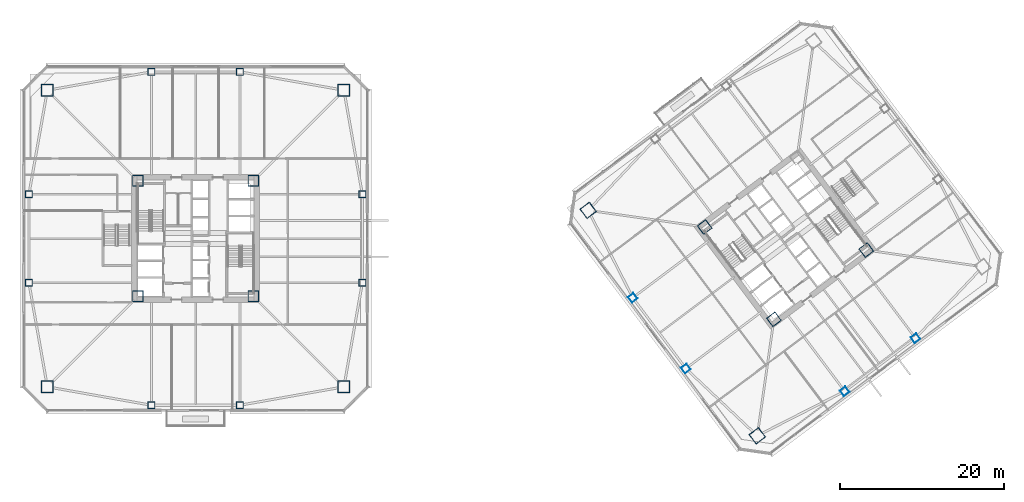
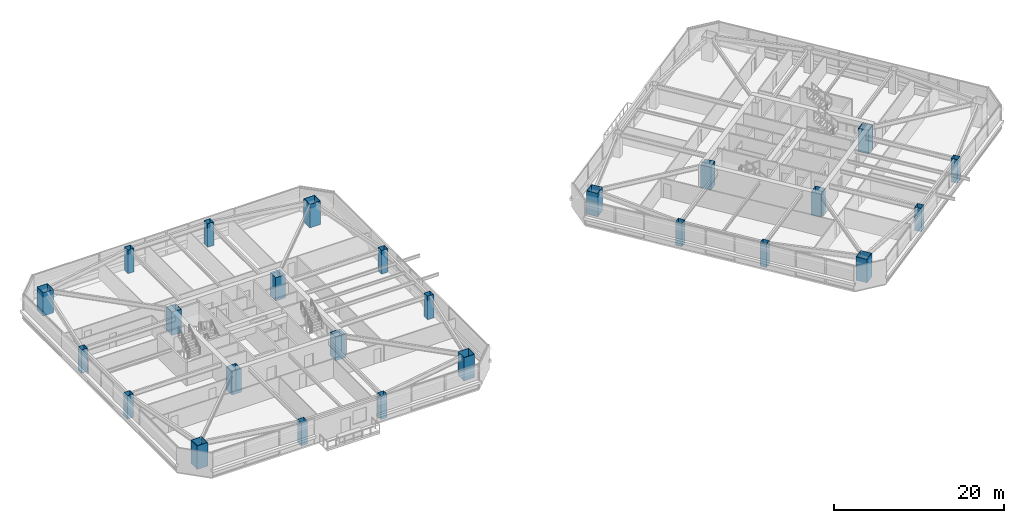
# One storey, part 1 of 44: 25 columns.
"""IFC4 building model written with IfcOpenShell, lengths in metres."""

import ifcopenshell
import ifcopenshell.guid

model = None  # the IFC model being written
_history = None  # IfcOwnerHistory: only IFC2X3 demands one
_inside = {}  # id of a spatial element -> (the spatial element, [elements in it])
_under = {}  # id of a project, library or spatial element -> (it, [spatial elements below it])
_declared = {}  # id of a project -> (the project, [libraries it declares])
_typed = {}  # id of a type object -> (the type object, [elements of that type])
_made_of = {}  # id of a material, layer set ... -> (it, [elements and type objects made of it])


def new_model(schema):
    """Start an empty IFC model of exactly this schema.

    Asked for "IFC4X3", IfcOpenShell would pick the latest addendum, in which some entities
    have other attributes; the version numbers below select the first issue.
    IFC2X3 requires an IfcOwnerHistory on every rooted entity: one is made here for all.
    """
    global model, _history
    if schema == "IFC4X3":
        model = ifcopenshell.file(schema_version=(4, 3, 0, 0))
    else:
        model = ifcopenshell.file(schema=schema)
    _inside.clear()
    _under.clear()
    _declared.clear()
    _typed.clear()
    _made_of.clear()
    _history = None
    if model.schema == "IFC2X3":
        org = make("IfcOrganization", Name="unknown")
        user = make(
            "IfcPersonAndOrganization",
            ThePerson=make("IfcPerson", FamilyName="unknown"),
            TheOrganization=org,
        )
        app = make(
            "IfcApplication",
            ApplicationDeveloper=org,
            Version="unknown",
            ApplicationFullName="unknown",
            ApplicationIdentifier="unknown",
        )
        _history = make(
            "IfcOwnerHistory",
            OwningUser=user,
            OwningApplication=app,
            ChangeAction="ADDED",
            CreationDate=0,
        )
    return model


def make(cls, **values):
    """One entity of the class cls with the attributes given. An attribute that is None is left unset."""
    return model.create_entity(
        cls, **{name: value for name, value in values.items() if value is not None}
    )


def rooted(cls, **values):
    """An entity with a GlobalId (a new one), such as an element, a storey or a relation."""
    return make(cls, GlobalId=ifcopenshell.guid.new(), OwnerHistory=_history, **values)


def si_unit(unit_type, name, prefix=None):
    """IfcSIUnit, for example si_unit("LENGTHUNIT", "METRE", prefix="MILLI")."""
    return make("IfcSIUnit", UnitType=unit_type, Prefix=prefix, Name=name)


def assignment(units):
    """IfcUnitAssignment: the units of a project."""
    return None if units is None else make("IfcUnitAssignment", Units=units)


def point(xyz):
    """IfcCartesianPoint."""
    return None if xyz is None else make("IfcCartesianPoint", Coordinates=xyz)


def direction(xyz):
    """IfcDirection."""
    return None if xyz is None else make("IfcDirection", DirectionRatios=xyz)


def frame(location, z_axis=None, x_axis=None):
    """IfcAxis2Placement3D, a coordinate frame: its origin and axes. An axis left out is left unset."""
    return make(
        "IfcAxis2Placement3D",
        Location=point(location),
        Axis=direction(z_axis),
        RefDirection=direction(x_axis),
    )


def frame_2d(location, x_axis=None):
    """IfcAxis2Placement2D, a coordinate frame in the plane: its origin and x axis."""
    return make(
        "IfcAxis2Placement2D", Location=point(location), RefDirection=direction(x_axis)
    )


def origin():
    """The frame at (0, 0, 0) with its axes left unset."""
    return frame((0.0, 0.0, 0.0))


def origin_2d():
    """The frame at (0, 0) in the plane with its x axis left unset."""
    return frame_2d((0.0, 0.0))


def place(relative_to, where):
    """IfcLocalPlacement: puts the frame where relative to a parent placement (None: the world)."""
    return make(
        "IfcLocalPlacement", PlacementRelTo=relative_to, RelativePlacement=where
    )


def context(
    kind, dimensions, precision=None, world=None, true_north=None, identifier=None
):
    """IfcGeometricRepresentationContext, for example the 3D "Model" context."""
    return make(
        "IfcGeometricRepresentationContext",
        ContextIdentifier=identifier,
        ContextType=kind,
        CoordinateSpaceDimension=dimensions,
        Precision=precision,
        WorldCoordinateSystem=world,
        TrueNorth=true_north,
    )


def subcontext(parent, identifier, kind, view, scale=None):
    """IfcGeometricRepresentationSubContext, for example "Body" below "Model"."""
    return make(
        "IfcGeometricRepresentationSubContext",
        ContextIdentifier=identifier,
        ContextType=kind,
        ParentContext=parent,
        TargetScale=scale,
        TargetView=view,
    )


def project(units=None, contexts=None):
    """IfcProject with its units and contexts."""
    return rooted(
        "IfcProject",
        Name="project",
        RepresentationContexts=contexts,
        UnitsInContext=assignment(units),
    )


def spatial(cls, under=None, at=None, **own):
    """A site, building, storey or space (cls), placed at a placement, below another one or the project."""
    s = rooted(cls, ObjectPlacement=at, **own)
    if under is not None:
        _under.setdefault(under.id(), (under, []))[1].append(s)
    return s


def profile(cls, at=None, kind="AREA", **sizes):
    """A parametric profile (cls). Its sizes go by their IFC names, for example OverallWidth=200.0."""
    return make(cls, ProfileType=kind, Position=at, **sizes)


def hollow_rectangle(**sizes):
    """IfcRectangleHollowProfileDef."""
    return profile("IfcRectangleHollowProfileDef", **sizes)


def extrude(swept, where, along, depth):
    """IfcExtrudedAreaSolid: the profile swept, set in the frame where, extruded along a direction by depth."""
    return make(
        "IfcExtrudedAreaSolid",
        SweptArea=swept,
        Position=where,
        ExtrudedDirection=direction(along),
        Depth=depth,
    )


def shape(context_of_items, identifier, shape_type, items):
    """IfcShapeRepresentation: the items that make up one representation, for example the "Body"."""
    return make(
        "IfcShapeRepresentation",
        ContextOfItems=context_of_items,
        RepresentationIdentifier=identifier,
        RepresentationType=shape_type,
        Items=items,
    )


def material(Name=None, Category=None):
    """IfcMaterial."""
    return make("IfcMaterial", Name=Name, Category=Category)


def material_profile(
    of_material, cross_section, Name=None, Category=None, Priority=None
):
    """IfcMaterialProfile: a cross section and its material."""
    return make(
        "IfcMaterialProfile",
        Name=Name,
        Material=of_material,
        Profile=cross_section,
        Priority=Priority,
        Category=Category,
    )


def profile_set(profiles, Name=None, composite=None):
    """IfcMaterialProfileSet."""
    return make(
        "IfcMaterialProfileSet",
        Name=Name,
        MaterialProfiles=profiles,
        CompositeProfile=composite,
    )


def made_of(thing, what):
    """Note that an element or type object is made of a material, layer set ...; save() writes the relation."""
    if what is not None:
        _made_of.setdefault(what.id(), (what, []))[1].append(thing)
    return thing


def type_object(cls, material=None, **own):
    """A type object (cls), such as IfcWallType, which elements share."""
    return made_of(rooted(cls, **own), material)


def element(
    cls,
    number,
    at=None,
    inside=None,
    cuts=None,
    type_object=None,
    material=None,
    context=None,
    identifier="Body",
    shape_type=None,
    held_by="IfcProductDefinitionShape",
    body=None,
    shapes=None,
    **own,
):
    """One element of the class cls, such as IfcWall. Its Tag is "e" and its number.

    at: its placement. inside: the storey or other place that contains it. cuts: it is an
    opening in that element (IfcRelVoidsElement). A single representation is given by context,
    identifier, shape_type and body (its items); several are given by shapes. held_by: the class
    of the entity that holds the representations. save() writes the other relations.
    """
    e = rooted(cls, Tag="e%d" % number, ObjectPlacement=at, **own)
    if body is not None:
        shapes = [shape(context, identifier, shape_type, body)]
    if shapes is not None:
        e.Representation = make(held_by, Representations=shapes)
    if inside is not None:
        _inside.setdefault(inside.id(), (inside, []))[1].append(e)
    if cuts is not None:
        rooted(
            "IfcRelVoidsElement", RelatingBuildingElement=cuts, RelatedOpeningElement=e
        )
    if type_object is not None:
        _typed.setdefault(type_object.id(), (type_object, []))[1].append(e)
    return made_of(e, material)


def aggregate(whole, parts):
    """IfcRelAggregates: a whole, such as a stair, and the parts it consists of."""
    return rooted("IfcRelAggregates", RelatingObject=whole, RelatedObjects=parts)


def save(model, path):
    """Write the relations noted so far, then the file.

    IfcRelAggregates (storeys below a building ...), IfcRelContainedInSpatialStructure (elements
    in a storey), IfcRelDefinesByType, IfcRelAssociatesMaterial and IfcRelDeclares: one each for
    every whole, place, type object, material and project.
    """
    for whole, parts in _under.values():
        aggregate(whole, parts)
    for where, things in _inside.values():
        rooted(
            "IfcRelContainedInSpatialStructure",
            RelatedElements=things,
            RelatingStructure=where,
        )
    for kind, things in _typed.values():
        rooted("IfcRelDefinesByType", RelatedObjects=things, RelatingType=kind)
    for what, things in _made_of.values():
        rooted("IfcRelAssociatesMaterial", RelatedObjects=things, RelatingMaterial=what)
    for by, libraries in _declared.values():
        rooted("IfcRelDeclares", RelatingContext=by, RelatedDefinitions=libraries)
    model.write(path)


model = new_model("IFC4")

# Units and contexts
model_context = context("Model", 3, precision=1e-05, world=origin(), true_north=direction((0.0, 1.0)))
body_context = subcontext(model_context, "Body", "Model", "MODEL_VIEW")
ifc_project = project(units=[si_unit("LENGTHUNIT", "METRE"), si_unit("AREAUNIT", "SQUARE_METRE"), si_unit("VOLUMEUNIT", "CUBIC_METRE"), si_unit("PLANEANGLEUNIT", "RADIAN"), si_unit("MASSUNIT", "GRAM", prefix="KILO")], contexts=[model_context])

# Site, building, storey
site_placement = place(None, origin())
site = spatial("IfcSite", under=ifc_project, at=site_placement, CompositionType="ELEMENT")
building_placement = place(site_placement, origin())
building = spatial("IfcBuilding", under=site, at=building_placement, Name="Tashvorn Skyway Center", CompositionType="ELEMENT")
storey_placement = place(building_placement, frame((0.0, 0.0, 95.60009765625)))
storey = spatial("IfcBuildingStorey", under=building, at=storey_placement, Name="L25", CompositionType="ELEMENT", Elevation=95.60009765625)

# Columns
ifc_material = material(Name="Steel ASTM A572 Grade 50", Category="steel")
ifc_material_profile_1 = material_profile(ifc_material, hollow_rectangle(XDim=1.300048828125, YDim=1.300048828125, WallThickness=0.050048828125, at=origin_2d()), Name="BOX1300x1300x50")
ifc_profile_set_1 = profile_set([ifc_material_profile_1], Name="Steel ASTM A572 Grade 50")
column_type_1 = type_object("IfcColumnType", Name="COL-BOX1300x1300x50", PredefinedType="COLUMN", material=ifc_profile_set_1)
for number, where, z_axis, x_axis, name in (
    (1, (34.949951171875, 24.949951171875, 0.0), (0.0, 0.0, 1.0), (1.0, 0.0, 0.0), "Tower 1 L25 Core Corner Column CC-SW"),
    (2, (49.050048828125, 24.949951171875, 0.0), (0.0, 0.0, 1.0), (1.0, 0.0, 0.0), "Tower 1 L25 Core Corner Column CC-SE"),
    (3, (49.050048828125, 39.050048828125, 0.0), (0.0, 0.0, 1.0), (1.0, 0.0, 0.0), "Tower 1 L25 Core Corner Column CC-NE"),
    (4, (34.949951171875, 39.050048828125, 0.0), (0.0, 0.0, 1.0), (1.0, 0.0, 0.0), "Tower 1 L25 Core Corner Column CC-NW"),
    (5, (112.590087890625, 22.1298828125, 0.0), (0.0, 0.0, 1.0), (0.799999996291, 0.600000004945, 0.0), "Tower 2 L25 Core Corner Column CC-SW"),
    (6, (123.8701171875, 30.590087890625, 0.0), (0.0, 0.0, 1.0), (0.799999996291, 0.600000004945, 0.0), "Tower 2 L25 Core Corner Column CC-SE"),
    (7, (104.1298828125, 33.409912109375, 0.0), (0.0, 0.0, 1.0), (0.799999996291, 0.600000004945, 0.0), "Tower 2 L25 Core Corner Column CC-NW"),
):
    element("IfcColumn", number, at=place(storey_placement, frame(where, z_axis=z_axis, x_axis=x_axis)), inside=storey, type_object=column_type_1, Name=name, PredefinedType="COLUMN", context=body_context, shape_type="SweptSolid", body=[
        extrude(hollow_rectangle(XDim=1.300048828125, YDim=1.300048828125, WallThickness=0.050048828125, at=origin_2d()), origin(), (0.0, 0.0, 1.0), 3.349853515625),
    ])
ifc_material_profile_2 = material_profile(ifc_material, hollow_rectangle(XDim=1.449951171875, YDim=1.449951171875, WallThickness=0.054931640625, at=origin_2d()), Name="BOX1450x1450x55")
ifc_profile_set_2 = profile_set([ifc_material_profile_2], Name="Steel ASTM A572 Grade 50")
column_type_2 = type_object("IfcColumnType", Name="COL-BOX1450x1450x55", PredefinedType="COLUMN", material=ifc_profile_set_2)
for number, where, z_axis, x_axis, name in (
    (8, (23.89990234375, 13.89990234375, 0.0), (0.0, 0.0, 1.0), (1.0, 0.0, 0.0), "Tower 1 L25 Mega-Column MC-SW"),
    (9, (60.10009765625, 13.89990234375, 0.0), (0.0, 0.0, 1.0), (1.0, 0.0, 0.0), "Tower 1 L25 Mega-Column MC-SE"),
    (10, (60.10009765625, 50.10009765625, 0.0), (0.0, 0.0, 1.0), (1.0, 0.0, 0.0), "Tower 1 L25 Mega-Column MC-NE"),
    (11, (23.89990234375, 50.10009765625, 0.0), (0.0, 0.0, 1.0), (1.0, 0.0, 0.0), "Tower 1 L25 Mega-Column MC-NW"),
    (12, (110.56005859375, 7.919921875, 0.0), (0.0, 0.0, 1.0), (0.799999996291, 0.600000004945, 0.0), "Tower 2 L25 Mega-Column MC-SW"),
    (13, (89.919921875, 35.43994140625, 0.0), (0.0, 0.0, 1.0), (0.799999996291, 0.600000004945, 0.0), "Tower 2 L25 Mega-Column MC-NW"),
):
    element("IfcColumn", number, at=place(storey_placement, frame(where, z_axis=z_axis, x_axis=x_axis)), inside=storey, type_object=column_type_2, Name=name, PredefinedType="COLUMN", context=body_context, shape_type="SweptSolid", body=[
        extrude(hollow_rectangle(XDim=1.449951171875, YDim=1.449951171875, WallThickness=0.054931640625, at=origin_2d()), origin(), (0.0, 0.0, 1.0), 3.349853515625),
    ])
ifc_material_profile_3 = material_profile(ifc_material, hollow_rectangle(XDim=0.85009765625, YDim=0.85009765625, WallThickness=0.034912109375, at=origin_2d()), Name="BOX850x850x35")
ifc_profile_set_3 = profile_set([ifc_material_profile_3], Name="Steel ASTM A572 Grade 50")
column_type_3 = type_object("IfcColumnType", Name="COL-BOX850x850x35", PredefinedType="COLUMN", material=ifc_profile_set_3)
for number, where, z_axis, x_axis, name in (
    (14, (36.60009765625, 11.64990234375, 0.0), (0.0, 0.0, 1.0), (1.0, 0.0, 0.0), "Tower 1 L25 Perimeter Column FC-S1"),
    (15, (47.39990234375, 11.64990234375, 0.0), (0.0, 0.0, 1.0), (1.0, 0.0, 0.0), "Tower 1 L25 Perimeter Column FC-S2"),
    (16, (62.35009765625, 26.60009765625, 0.0), (0.0, 0.0, 1.0), (1.0, 0.0, 0.0), "Tower 1 L25 Perimeter Column FC-E1"),
    (17, (62.35009765625, 37.39990234375, 0.0), (0.0, 0.0, 1.0), (1.0, 0.0, 0.0), "Tower 1 L25 Perimeter Column FC-E2"),
    (18, (47.39990234375, 52.35009765625, 0.0), (0.0, 0.0, 1.0), (1.0, 0.0, 0.0), "Tower 1 L25 Perimeter Column FC-N1"),
    (19, (36.60009765625, 52.35009765625, 0.0), (0.0, 0.0, 1.0), (1.0, 0.0, 0.0), "Tower 1 L25 Perimeter Column FC-N2"),
    (20, (21.64990234375, 37.39990234375, 0.0), (0.0, 0.0, 1.0), (1.0, 0.0, 0.0), "Tower 1 L25 Perimeter Column FC-W1"),
    (21, (21.64990234375, 26.60009765625, 0.0), (0.0, 0.0, 1.0), (1.0, 0.0, 0.0), "Tower 1 L25 Perimeter Column FC-W2"),
    (22, (121.22998046875, 13.360107421875, 0.0), (0.0, 0.0, 1.0), (0.799999996291, 0.600000004945, 0.0), "Tower 2 L25 Perimeter Column FC-S1"),
    (23, (129.8701171875, 19.840087890625, 0.0), (0.0, 0.0, 1.0), (0.799999996291, 0.600000004945, 0.0), "Tower 2 L25 Perimeter Column FC-S2"),
    (24, (95.360107421875, 24.77001953125, 0.0), (0.0, 0.0, 1.0), (0.799999996291, 0.600000004945, 0.0), "Tower 2 L25 Perimeter Column FC-W1"),
    (25, (101.840087890625, 16.1298828125, 0.0), (0.0, 0.0, 1.0), (0.799999996291, 0.600000004945, 0.0), "Tower 2 L25 Perimeter Column FC-W2"),
):
    element("IfcColumn", number, at=place(storey_placement, frame(where, z_axis=z_axis, x_axis=x_axis)), inside=storey, type_object=column_type_3, Name=name, PredefinedType="COLUMN", context=body_context, shape_type="SweptSolid", body=[
        extrude(hollow_rectangle(XDim=0.85009765625, YDim=0.85009765625, WallThickness=0.034912109375, at=origin_2d()), origin(), (0.0, 0.0, 1.0), 3.349853515625),
    ])

save(model, "model.ifc")
